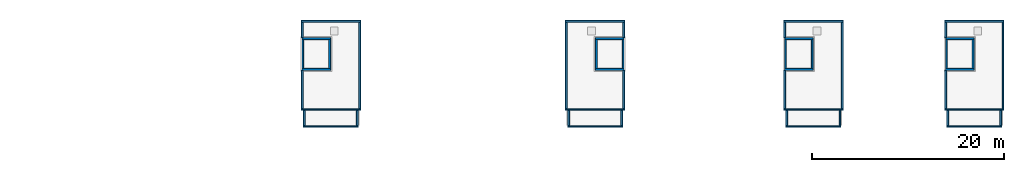
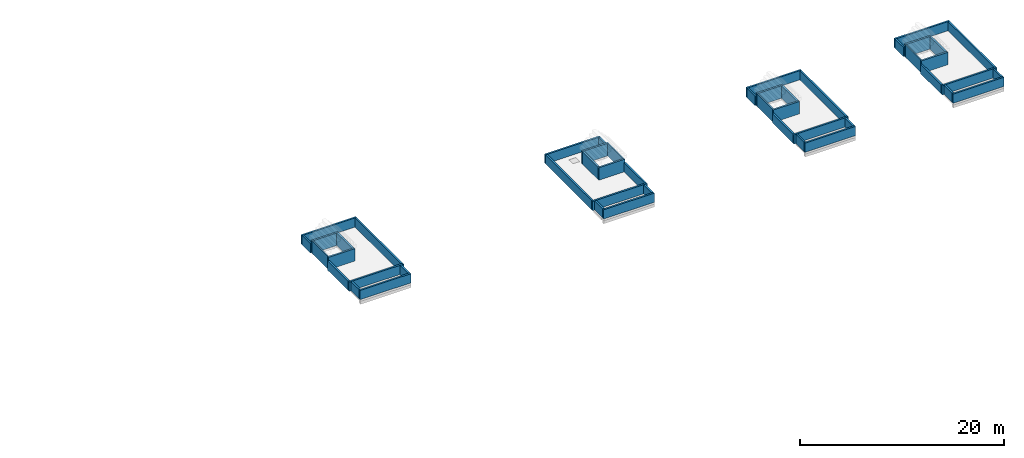
# One storey, part 11 of 15: 48 walls.
"""IFC4 building model written with IfcOpenShell, lengths in metres."""

from ifc_helpers import new_model, si_unit, direction, frame, frame_2d, origin, place, context, subcontext, project, spatial, rectangle, extrude, material, layer, layer_set, type_object, element, save


model = new_model("IFC4")

# Units and contexts
model_context = context("Model", 3, precision=1e-05, world=origin(), true_north=direction((0.0, 1.0)))
body_context = subcontext(model_context, "Body", "Model", "MODEL_VIEW")
ifc_project = project(units=[si_unit("LENGTHUNIT", "METRE"), si_unit("AREAUNIT", "SQUARE_METRE"), si_unit("VOLUMEUNIT", "CUBIC_METRE"), si_unit("PLANEANGLEUNIT", "RADIAN"), si_unit("MASSUNIT", "GRAM", prefix="KILO")], contexts=[model_context])

# Site, building, storey
site_placement = place(None, origin())
site = spatial("IfcSite", under=ifc_project, at=site_placement, CompositionType="ELEMENT")
building_placement = place(site_placement, origin())
building = spatial("IfcBuilding", under=site, at=building_placement, Name="Ridgestep Commons", CompositionType="ELEMENT")
storey_placement = place(building_placement, frame((0.0, 0.0, 45.0)))
storey = spatial("IfcBuildingStorey", under=building, at=storey_placement, Name="L15", CompositionType="ELEMENT", Elevation=45.0)

# Walls
ifc_material_1 = material(Name="Concrete C30/37", Category="concrete")
ifc_layer_1 = layer(ifc_material_1, 0.14990234375)
ifc_layer_set_1 = layer_set([ifc_layer_1], Name="Lift overrun wall 150")
wall_type_1 = type_object("IfcWallType", Name="Lift overrun wall 150", PredefinedType="SHEAR", material=ifc_layer_set_1)
for number, where, z_axis, x_axis, name in (
    (1, (163.675048828125, 17.949951171875, 0.0), (0.0, 0.0, 1.0), (0.0, 1.0, 0.0), "Lift overrun wall D2C"),
    (2, (197.125, 17.949951171875, 0.0), (0.0, 0.0, 1.0), (0.0, 1.0, 0.0), "Lift overrun wall D3C"),
    (3, (214.074951171875, 17.949951171875, 0.0), (0.0, 0.0, 1.0), (0.0, 1.0, 0.0), "Lift overrun wall D5C"),
    (4, (230.875, 17.949951171875, 0.0), (0.0, 0.0, 1.0), (0.0, 1.0, 0.0), "Lift overrun wall D6C"),
):
    element("IfcWall", number, at=place(storey_placement, frame(where, z_axis=z_axis, x_axis=x_axis)), inside=storey, type_object=wall_type_1, Name=name, PredefinedType="SHEAR", context=body_context, shape_type="SweptSolid", body=[
        extrude(rectangle(XDim=3.0, YDim=0.14990234375, at=frame_2d((1.5, 0.0))), origin(), (0.0, 0.0, 1.0), 1.5),
    ])
ifc_material_2 = material(Name="Concrete C30/37", Category="concrete")
ifc_layer_2 = layer(ifc_material_2, 0.199951171875)
ifc_layer_set_2 = layer_set([ifc_layer_2], Name="Lift overrun wall 200")
wall_type_2 = type_object("IfcWallType", Name="Lift overrun wall 200", PredefinedType="SHEAR", material=ifc_layer_set_2)
for number, where, z_axis, x_axis, name in (
    (5, (163.60009765625, 17.85009765625, 0.0), (0.0, 0.0, 1.0), (1.0, 0.0, 0.0), "Lift overrun wall D2C"),
    (6, (163.60009765625, 21.050048828125, 0.0), (0.0, 0.0, 1.0), (1.0, 0.0, 0.0), "Lift overrun wall D2C"),
):
    element("IfcWall", number, at=place(storey_placement, frame(where, z_axis=z_axis, x_axis=x_axis)), inside=storey, type_object=wall_type_2, Name=name, PredefinedType="SHEAR", context=body_context, shape_type="SweptSolid", body=[
        extrude(rectangle(XDim=2.974853515625, YDim=0.199951171875, at=frame_2d((1.4873046875, 0.0))), origin(), (0.0, 0.0, 1.0), 1.5),
    ])
wall_1_placement = place(storey_placement, frame((166.47509765625, 17.949951171875, 0.0), z_axis=(0.0, 0.0, 1.0), x_axis=(0.0, 1.0, 0.0)))
element("IfcWall", 7, at=wall_1_placement, inside=storey, type_object=wall_type_2, Name="Lift overrun wall D2C", PredefinedType="SHEAR", context=body_context, shape_type="SweptSolid", body=[
    extrude(rectangle(XDim=3.0, YDim=0.199951171875, at=frame_2d((1.5, 0.0))), origin(), (0.0, 0.0, 1.0), 1.5),
])
for number, where, z_axis, x_axis, name in (
    (8, (194.22509765625, 17.85009765625, 0.0), (0.0, 0.0, 1.0), (1.0, 0.0, 0.0), "Lift overrun wall D3C"),
    (9, (194.22509765625, 21.050048828125, 0.0), (0.0, 0.0, 1.0), (1.0, 0.0, 0.0), "Lift overrun wall D3C"),
):
    element("IfcWall", number, at=place(storey_placement, frame(where, z_axis=z_axis, x_axis=x_axis)), inside=storey, type_object=wall_type_2, Name=name, PredefinedType="SHEAR", context=body_context, shape_type="SweptSolid", body=[
        extrude(rectangle(XDim=2.974853515625, YDim=0.199951171875, at=frame_2d((1.4873046875, 0.0))), origin(), (0.0, 0.0, 1.0), 1.5),
    ])
wall_2_placement = place(storey_placement, frame((194.324951171875, 17.949951171875, 0.0), z_axis=(0.0, 0.0, 1.0), x_axis=(0.0, 1.0, 0.0)))
element("IfcWall", 10, at=wall_2_placement, inside=storey, type_object=wall_type_2, Name="Lift overrun wall D3C", PredefinedType="SHEAR", context=body_context, shape_type="SweptSolid", body=[
    extrude(rectangle(XDim=3.0, YDim=0.199951171875, at=frame_2d((1.5, 0.0))), origin(), (0.0, 0.0, 1.0), 1.5),
])
for number, where, z_axis, x_axis, name in (
    (11, (214.0, 17.85009765625, 0.0), (0.0, 0.0, 1.0), (1.0, 0.0, 0.0), "Lift overrun wall D5C"),
    (12, (214.0, 21.050048828125, 0.0), (0.0, 0.0, 1.0), (1.0, 0.0, 0.0), "Lift overrun wall D5C"),
):
    element("IfcWall", number, at=place(storey_placement, frame(where, z_axis=z_axis, x_axis=x_axis)), inside=storey, type_object=wall_type_2, Name=name, PredefinedType="SHEAR", context=body_context, shape_type="SweptSolid", body=[
        extrude(rectangle(XDim=2.97509765625, YDim=0.199951171875, at=frame_2d((1.487548828125, 0.0))), origin(), (0.0, 0.0, 1.0), 1.5),
    ])
wall_3_placement = place(storey_placement, frame((216.875, 17.949951171875, 0.0), z_axis=(0.0, 0.0, 1.0), x_axis=(0.0, 1.0, 0.0)))
element("IfcWall", 13, at=wall_3_placement, inside=storey, type_object=wall_type_2, Name="Lift overrun wall D5C", PredefinedType="SHEAR", context=body_context, shape_type="SweptSolid", body=[
    extrude(rectangle(XDim=3.0, YDim=0.199951171875, at=frame_2d((1.5, 0.0))), origin(), (0.0, 0.0, 1.0), 1.5),
])
for number, where, z_axis, x_axis, name in (
    (14, (230.800048828125, 17.85009765625, 0.0), (0.0, 0.0, 1.0), (1.0, 0.0, 0.0), "Lift overrun wall D6C"),
    (15, (230.800048828125, 21.050048828125, 0.0), (0.0, 0.0, 1.0), (1.0, 0.0, 0.0), "Lift overrun wall D6C"),
):
    element("IfcWall", number, at=place(storey_placement, frame(where, z_axis=z_axis, x_axis=x_axis)), inside=storey, type_object=wall_type_2, Name=name, PredefinedType="SHEAR", context=body_context, shape_type="SweptSolid", body=[
        extrude(rectangle(XDim=2.974853515625, YDim=0.199951171875, at=frame_2d((1.4873046875, 0.0))), origin(), (0.0, 0.0, 1.0), 1.5),
    ])
wall_4_placement = place(storey_placement, frame((233.675048828125, 17.949951171875, 0.0), z_axis=(0.0, 0.0, 1.0), x_axis=(0.0, 1.0, 0.0)))
element("IfcWall", 16, at=wall_4_placement, inside=storey, type_object=wall_type_2, Name="Lift overrun wall D6C", PredefinedType="SHEAR", context=body_context, shape_type="SweptSolid", body=[
    extrude(rectangle(XDim=3.0, YDim=0.199951171875, at=frame_2d((1.5, 0.0))), origin(), (0.0, 0.0, 1.0), 1.5),
])
ifc_material_3 = material(Name="Precast concrete C40/50", Category="concrete")
ifc_layer_3 = layer(ifc_material_3, 0.199951171875)
ifc_layer_set_3 = layer_set([ifc_layer_3], Name="Parapet wall 200")
wall_type_3 = type_object("IfcWallType", Name="Parapet wall 200", PredefinedType="PARAPET", material=ifc_layer_set_3)
for number, where, z_axis, x_axis, name in (
    (17, (163.5, 22.875, 0.0), (0.0, 0.0, 1.0), (1.0, 0.0, 0.0), "Parapet D2C north"),
    (18, (163.5, 13.64990234375, 0.0), (0.0, 0.0, 1.0), (1.0, 0.0, 0.0), "Parapet D2C south"),
):
    element("IfcWall", number, at=place(storey_placement, frame(where, z_axis=z_axis, x_axis=x_axis)), inside=storey, type_object=wall_type_3, Name=name, PredefinedType="PARAPET", context=body_context, shape_type="SweptSolid", body=[
        extrude(rectangle(XDim=6.199951171875, YDim=0.199951171875, at=frame_2d((3.10009765625, 0.0))), origin(), (0.0, 0.0, 1.0), 1.10009765625),
    ])
wall_5_placement = place(storey_placement, frame((163.60009765625, 13.75, 0.0), z_axis=(0.0, 0.0, 1.0), x_axis=(0.0, 1.0, 0.0)))
element("IfcWall", 19, at=wall_5_placement, inside=storey, type_object=wall_type_3, Name="Parapet D2C west", PredefinedType="PARAPET", context=body_context, shape_type="SweptSolid", body=[
    extrude(rectangle(XDim=4.0, YDim=0.199951171875, at=frame_2d((2.0, 0.0))), origin(), (0.0, 0.0, 1.0), 1.10009765625),
])
wall_6_placement = place(storey_placement, frame((163.60009765625, 21.14990234375, 0.0), z_axis=(0.0, 0.0, 1.0), x_axis=(0.0, 1.0, 0.0)))
element("IfcWall", 20, at=wall_6_placement, inside=storey, type_object=wall_type_3, Name="Parapet D2C west", PredefinedType="PARAPET", context=body_context, shape_type="SweptSolid", body=[
    extrude(rectangle(XDim=1.625, YDim=0.199951171875, at=frame_2d((0.8125, 0.0))), origin(), (0.0, 0.0, 1.0), 1.10009765625),
])
wall_7_placement = place(storey_placement, frame((169.60009765625, 13.75, 0.0), z_axis=(0.0, 0.0, 1.0), x_axis=(0.0, 1.0, 0.0)))
element("IfcWall", 21, at=wall_7_placement, inside=storey, type_object=wall_type_3, Name="Parapet D2C east", PredefinedType="PARAPET", context=body_context, shape_type="SweptSolid", body=[
    extrude(rectangle(XDim=9.02490234375, YDim=0.199951171875, at=frame_2d((4.512451171875, 0.0))), origin(), (0.0, 0.0, 1.0), 1.10009765625),
])
wall_8_placement = place(storey_placement, frame((163.72509765625, 11.875, 0.0), z_axis=(0.0, 0.0, 1.0), x_axis=(1.0, 0.0, 0.0)))
element("IfcWall", 22, at=wall_8_placement, inside=storey, type_object=wall_type_3, Name="Parapet D2C gallery south", PredefinedType="PARAPET", context=body_context, shape_type="SweptSolid", body=[
    extrude(rectangle(XDim=5.75, YDim=0.199951171875, at=frame_2d((2.875, 0.0))), origin(), (0.0, 0.0, 1.0), 1.10009765625),
])
for number, where, z_axis, x_axis, name in (
    (23, (163.824951171875, 11.97509765625, 0.0), (0.0, 0.0, 1.0), (0.0, 1.0, 0.0), "Parapet D2C gallery west"),
    (24, (169.375, 11.97509765625, 0.0), (0.0, 0.0, 1.0), (0.0, 1.0, 0.0), "Parapet D2C gallery east"),
):
    element("IfcWall", number, at=place(storey_placement, frame(where, z_axis=z_axis, x_axis=x_axis)), inside=storey, type_object=wall_type_3, Name=name, PredefinedType="PARAPET", context=body_context, shape_type="SweptSolid", body=[
        extrude(rectangle(XDim=1.574951171875, YDim=0.199951171875, at=frame_2d((0.78759765625, 0.0))), origin(), (0.0, 0.0, 1.0), 1.10009765625),
    ])
for number, where, z_axis, x_axis, name in (
    (25, (191.10009765625, 22.875, 0.0), (0.0, 0.0, 1.0), (1.0, 0.0, 0.0), "Parapet D3C north"),
    (26, (191.10009765625, 13.64990234375, 0.0), (0.0, 0.0, 1.0), (1.0, 0.0, 0.0), "Parapet D3C south"),
):
    element("IfcWall", number, at=place(storey_placement, frame(where, z_axis=z_axis, x_axis=x_axis)), inside=storey, type_object=wall_type_3, Name=name, PredefinedType="PARAPET", context=body_context, shape_type="SweptSolid", body=[
        extrude(rectangle(XDim=6.199951171875, YDim=0.199951171875, at=frame_2d((3.10009765625, 0.0))), origin(), (0.0, 0.0, 1.0), 1.10009765625),
    ])
wall_9_placement = place(storey_placement, frame((191.199951171875, 13.75, 0.0), z_axis=(0.0, 0.0, 1.0), x_axis=(0.0, 1.0, 0.0)))
element("IfcWall", 27, at=wall_9_placement, inside=storey, type_object=wall_type_3, Name="Parapet D3C west", PredefinedType="PARAPET", context=body_context, shape_type="SweptSolid", body=[
    extrude(rectangle(XDim=9.02490234375, YDim=0.199951171875, at=frame_2d((4.512451171875, 0.0))), origin(), (0.0, 0.0, 1.0), 1.10009765625),
])
wall_10_placement = place(storey_placement, frame((197.199951171875, 13.75, 0.0), z_axis=(0.0, 0.0, 1.0), x_axis=(0.0, 1.0, 0.0)))
element("IfcWall", 28, at=wall_10_placement, inside=storey, type_object=wall_type_3, Name="Parapet D3C east", PredefinedType="PARAPET", context=body_context, shape_type="SweptSolid", body=[
    extrude(rectangle(XDim=4.0, YDim=0.199951171875, at=frame_2d((2.0, 0.0))), origin(), (0.0, 0.0, 1.0), 1.10009765625),
])
wall_11_placement = place(storey_placement, frame((197.199951171875, 21.14990234375, 0.0), z_axis=(0.0, 0.0, 1.0), x_axis=(0.0, 1.0, 0.0)))
element("IfcWall", 29, at=wall_11_placement, inside=storey, type_object=wall_type_3, Name="Parapet D3C east", PredefinedType="PARAPET", context=body_context, shape_type="SweptSolid", body=[
    extrude(rectangle(XDim=1.625, YDim=0.199951171875, at=frame_2d((0.8125, 0.0))), origin(), (0.0, 0.0, 1.0), 1.10009765625),
])
wall_12_placement = place(storey_placement, frame((191.324951171875, 11.875, 0.0), z_axis=(0.0, 0.0, 1.0), x_axis=(1.0, 0.0, 0.0)))
element("IfcWall", 30, at=wall_12_placement, inside=storey, type_object=wall_type_3, Name="Parapet D3C gallery south", PredefinedType="PARAPET", context=body_context, shape_type="SweptSolid", body=[
    extrude(rectangle(XDim=5.75, YDim=0.199951171875, at=frame_2d((2.875, 0.0))), origin(), (0.0, 0.0, 1.0), 1.10009765625),
])
for number, where, z_axis, x_axis, name in (
    (31, (191.425048828125, 11.97509765625, 0.0), (0.0, 0.0, 1.0), (0.0, 1.0, 0.0), "Parapet D3C gallery west"),
    (32, (196.97509765625, 11.97509765625, 0.0), (0.0, 0.0, 1.0), (0.0, 1.0, 0.0), "Parapet D3C gallery east"),
):
    element("IfcWall", number, at=place(storey_placement, frame(where, z_axis=z_axis, x_axis=x_axis)), inside=storey, type_object=wall_type_3, Name=name, PredefinedType="PARAPET", context=body_context, shape_type="SweptSolid", body=[
        extrude(rectangle(XDim=1.574951171875, YDim=0.199951171875, at=frame_2d((0.78759765625, 0.0))), origin(), (0.0, 0.0, 1.0), 1.10009765625),
    ])
for number, where, z_axis, x_axis, name in (
    (33, (213.89990234375, 22.875, 0.0), (0.0, 0.0, 1.0), (1.0, 0.0, 0.0), "Parapet D5C north"),
    (34, (213.89990234375, 13.64990234375, 0.0), (0.0, 0.0, 1.0), (1.0, 0.0, 0.0), "Parapet D5C south"),
):
    element("IfcWall", number, at=place(storey_placement, frame(where, z_axis=z_axis, x_axis=x_axis)), inside=storey, type_object=wall_type_3, Name=name, PredefinedType="PARAPET", context=body_context, shape_type="SweptSolid", body=[
        extrude(rectangle(XDim=6.2001953125, YDim=0.199951171875, at=frame_2d((3.10009765625, 0.0))), origin(), (0.0, 0.0, 1.0), 1.10009765625),
    ])
wall_13_placement = place(storey_placement, frame((214.0, 13.75, 0.0), z_axis=(0.0, 0.0, 1.0), x_axis=(0.0, 1.0, 0.0)))
element("IfcWall", 35, at=wall_13_placement, inside=storey, type_object=wall_type_3, Name="Parapet D5C west", PredefinedType="PARAPET", context=body_context, shape_type="SweptSolid", body=[
    extrude(rectangle(XDim=4.0, YDim=0.199951171875, at=frame_2d((2.0, 0.0))), origin(), (0.0, 0.0, 1.0), 1.10009765625),
])
wall_14_placement = place(storey_placement, frame((214.0, 21.14990234375, 0.0), z_axis=(0.0, 0.0, 1.0), x_axis=(0.0, 1.0, 0.0)))
element("IfcWall", 36, at=wall_14_placement, inside=storey, type_object=wall_type_3, Name="Parapet D5C west", PredefinedType="PARAPET", context=body_context, shape_type="SweptSolid", body=[
    extrude(rectangle(XDim=1.625, YDim=0.199951171875, at=frame_2d((0.8125, 0.0))), origin(), (0.0, 0.0, 1.0), 1.10009765625),
])
wall_15_placement = place(storey_placement, frame((220.0, 13.75, 0.0), z_axis=(0.0, 0.0, 1.0), x_axis=(0.0, 1.0, 0.0)))
element("IfcWall", 37, at=wall_15_placement, inside=storey, type_object=wall_type_3, Name="Parapet D5C east", PredefinedType="PARAPET", context=body_context, shape_type="SweptSolid", body=[
    extrude(rectangle(XDim=9.02490234375, YDim=0.199951171875, at=frame_2d((4.512451171875, 0.0))), origin(), (0.0, 0.0, 1.0), 1.10009765625),
])
wall_16_placement = place(storey_placement, frame((214.125, 11.875, 0.0), z_axis=(0.0, 0.0, 1.0), x_axis=(1.0, 0.0, 0.0)))
element("IfcWall", 38, at=wall_16_placement, inside=storey, type_object=wall_type_3, Name="Parapet D5C gallery south", PredefinedType="PARAPET", context=body_context, shape_type="SweptSolid", body=[
    extrude(rectangle(XDim=5.75, YDim=0.199951171875, at=frame_2d((2.875, 0.0))), origin(), (0.0, 0.0, 1.0), 1.10009765625),
])
for number, where, z_axis, x_axis, name in (
    (39, (214.22509765625, 11.97509765625, 0.0), (0.0, 0.0, 1.0), (0.0, 1.0, 0.0), "Parapet D5C gallery west"),
    (40, (219.77490234375, 11.97509765625, 0.0), (0.0, 0.0, 1.0), (0.0, 1.0, 0.0), "Parapet D5C gallery east"),
):
    element("IfcWall", number, at=place(storey_placement, frame(where, z_axis=z_axis, x_axis=x_axis)), inside=storey, type_object=wall_type_3, Name=name, PredefinedType="PARAPET", context=body_context, shape_type="SweptSolid", body=[
        extrude(rectangle(XDim=1.574951171875, YDim=0.199951171875, at=frame_2d((0.78759765625, 0.0))), origin(), (0.0, 0.0, 1.0), 1.10009765625),
    ])
for number, where, z_axis, x_axis, name in (
    (41, (230.699951171875, 22.875, 0.0), (0.0, 0.0, 1.0), (1.0, 0.0, 0.0), "Parapet D6C north"),
    (42, (230.699951171875, 13.64990234375, 0.0), (0.0, 0.0, 1.0), (1.0, 0.0, 0.0), "Parapet D6C south"),
):
    element("IfcWall", number, at=place(storey_placement, frame(where, z_axis=z_axis, x_axis=x_axis)), inside=storey, type_object=wall_type_3, Name=name, PredefinedType="PARAPET", context=body_context, shape_type="SweptSolid", body=[
        extrude(rectangle(XDim=6.199951171875, YDim=0.199951171875, at=frame_2d((3.10009765625, 0.0))), origin(), (0.0, 0.0, 1.0), 1.10009765625),
    ])
wall_17_placement = place(storey_placement, frame((230.800048828125, 13.75, 0.0), z_axis=(0.0, 0.0, 1.0), x_axis=(0.0, 1.0, 0.0)))
element("IfcWall", 43, at=wall_17_placement, inside=storey, type_object=wall_type_3, Name="Parapet D6C west", PredefinedType="PARAPET", context=body_context, shape_type="SweptSolid", body=[
    extrude(rectangle(XDim=4.0, YDim=0.199951171875, at=frame_2d((2.0, 0.0))), origin(), (0.0, 0.0, 1.0), 1.10009765625),
])
wall_18_placement = place(storey_placement, frame((230.800048828125, 21.14990234375, 0.0), z_axis=(0.0, 0.0, 1.0), x_axis=(0.0, 1.0, 0.0)))
element("IfcWall", 44, at=wall_18_placement, inside=storey, type_object=wall_type_3, Name="Parapet D6C west", PredefinedType="PARAPET", context=body_context, shape_type="SweptSolid", body=[
    extrude(rectangle(XDim=1.625, YDim=0.199951171875, at=frame_2d((0.8125, 0.0))), origin(), (0.0, 0.0, 1.0), 1.10009765625),
])
wall_19_placement = place(storey_placement, frame((236.800048828125, 13.75, 0.0), z_axis=(0.0, 0.0, 1.0), x_axis=(0.0, 1.0, 0.0)))
element("IfcWall", 45, at=wall_19_placement, inside=storey, type_object=wall_type_3, Name="Parapet D6C east", PredefinedType="PARAPET", context=body_context, shape_type="SweptSolid", body=[
    extrude(rectangle(XDim=9.02490234375, YDim=0.199951171875, at=frame_2d((4.512451171875, 0.0))), origin(), (0.0, 0.0, 1.0), 1.10009765625),
])
wall_20_placement = place(storey_placement, frame((230.925048828125, 11.875, 0.0), z_axis=(0.0, 0.0, 1.0), x_axis=(1.0, 0.0, 0.0)))
element("IfcWall", 46, at=wall_20_placement, inside=storey, type_object=wall_type_3, Name="Parapet D6C gallery south", PredefinedType="PARAPET", context=body_context, shape_type="SweptSolid", body=[
    extrude(rectangle(XDim=5.75, YDim=0.199951171875, at=frame_2d((2.875, 0.0))), origin(), (0.0, 0.0, 1.0), 1.10009765625),
])
for number, where, z_axis, x_axis, name in (
    (47, (231.02490234375, 11.97509765625, 0.0), (0.0, 0.0, 1.0), (0.0, 1.0, 0.0), "Parapet D6C gallery west"),
    (48, (236.574951171875, 11.97509765625, 0.0), (0.0, 0.0, 1.0), (0.0, 1.0, 0.0), "Parapet D6C gallery east"),
):
    element("IfcWall", number, at=place(storey_placement, frame(where, z_axis=z_axis, x_axis=x_axis)), inside=storey, type_object=wall_type_3, Name=name, PredefinedType="PARAPET", context=body_context, shape_type="SweptSolid", body=[
        extrude(rectangle(XDim=1.574951171875, YDim=0.199951171875, at=frame_2d((0.78759765625, 0.0))), origin(), (0.0, 0.0, 1.0), 1.10009765625),
    ])

save(model, "model.ifc")
